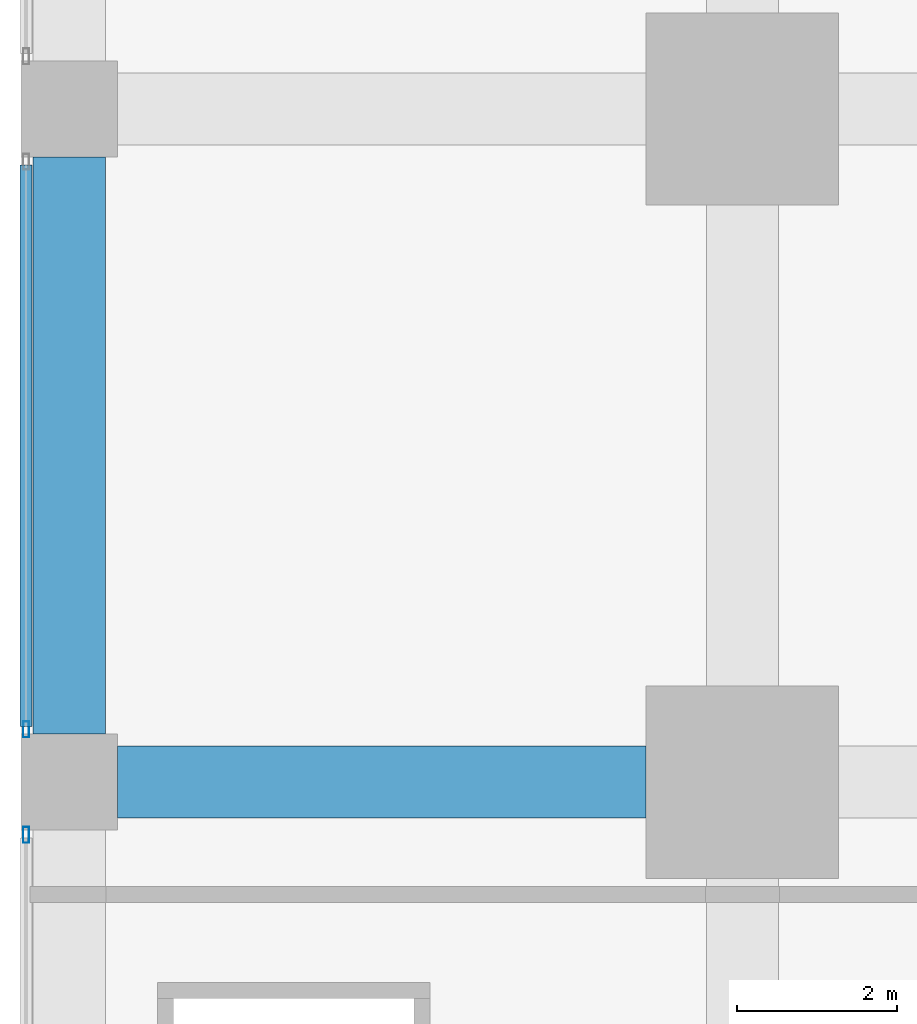
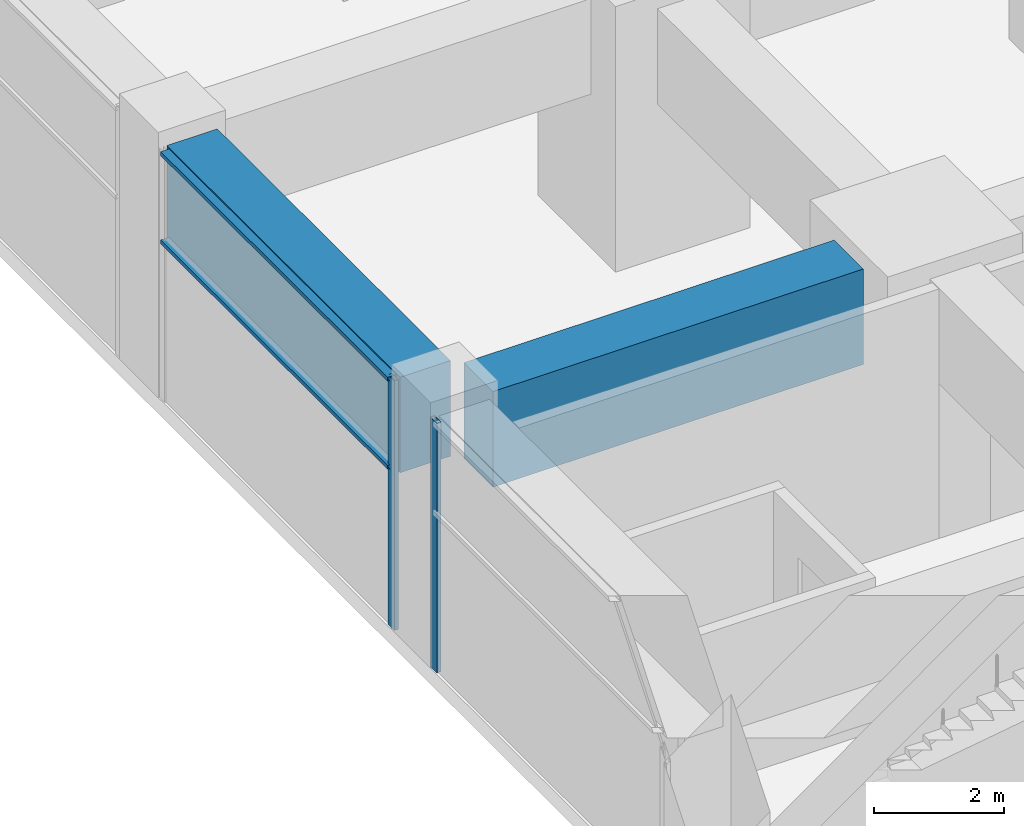
# One storey, part 19 of 48: 4 members, 2 beams, 2 elements without a shape of their own.
"""IFC4 building model written with IfcOpenShell, lengths in metres."""

from ifc_helpers import new_model, si_unit, direction, frame, origin, origin_2d, place, context, subcontext, project, spatial, rectangle, hollow_rectangle, extrude, material, material_profile, profile_set, type_object, element, aggregate, save


model = new_model("IFC4")

# Units and contexts
model_context = context("Model", 3, precision=1e-05, world=origin(), true_north=direction((0.0, 1.0)))
body_context = subcontext(model_context, "Body", "Model", "MODEL_VIEW")
ifc_project = project(units=[si_unit("LENGTHUNIT", "METRE"), si_unit("AREAUNIT", "SQUARE_METRE"), si_unit("VOLUMEUNIT", "CUBIC_METRE"), si_unit("PLANEANGLEUNIT", "RADIAN"), si_unit("MASSUNIT", "GRAM", prefix="KILO")], contexts=[model_context])

# Site, building, storey
site_placement = place(None, origin())
site = spatial("IfcSite", under=ifc_project, at=site_placement, CompositionType="ELEMENT")
building_placement = place(site_placement, origin())
building = spatial("IfcBuilding", under=site, at=building_placement, Name="Rekha Terrace Tower", CompositionType="ELEMENT")
storey_placement = place(building_placement, frame((0.0, 0.0, 15.39990234375)))
storey = spatial("IfcBuildingStorey", under=building, at=storey_placement, Name="L03", CompositionType="ELEMENT", Elevation=15.39990234375)

# Curtain wall, member
ifc_material_1 = material(Name="Aluminium framing", Category="aluminium")
curtain_wall_type = type_object("IfcCurtainWallType", Name="CW4 podium shopfront glazing", PredefinedType="USERDEFINED", material=ifc_material_1)
curtain_wall_1_placement = place(storey_placement, origin())
curtain_wall_1 = element("IfcCurtainWall", 1, at=curtain_wall_1_placement, inside=storey, type_object=curtain_wall_type, Name="CW4 shopfront curtain wall", ObjectType="SHOPFRONT CURTAIN WALL", PredefinedType="USERDEFINED")
ifc_material_2 = material(Name="Aluminium mullion section", Category="aluminium")
ifc_material_profile_1 = material_profile(ifc_material_2, hollow_rectangle(XDim=0.074951171875, YDim=0.199951171875, WallThickness=0.00390625, at=origin_2d()), Name="AL RHS 75x200")
ifc_profile_set_1 = profile_set([ifc_material_profile_1], Name="Aluminium mullion section")
member_type_1 = type_object("IfcMemberType", Name="CW4 mullion RHS 75 x 200", PredefinedType="MULLION", material=ifc_profile_set_1)
member_1_placement = place(storey_placement, frame((-0.5400390625, 42.657470703125, 0.0), z_axis=(0.0, 0.0, 1.0), x_axis=(1.0, 0.0, 0.0)))
member_1 = element("IfcMember", 2, at=member_1_placement, type_object=member_type_1, Name="CW4 mullion 2", PredefinedType="MULLION", context=body_context, shape_type="SweptSolid", body=[
    extrude(hollow_rectangle(XDim=0.074951171875, YDim=0.199951171875, WallThickness=0.00390625, at=origin_2d()), origin(), (0.0, 0.0, 1.0), 4.7001953125),
])

curtain_wall_2_placement = place(storey_placement, origin())
curtain_wall_2 = element("IfcCurtainWall", 3, at=curtain_wall_2_placement, inside=storey, type_object=curtain_wall_type, Name="CW4 shopfront curtain wall", ObjectType="SHOPFRONT CURTAIN WALL", PredefinedType="USERDEFINED")
member_2_placement = place(storey_placement, frame((-0.5400390625, 41.342529296875, 0.0), z_axis=(0.0, 0.0, 1.0), x_axis=(1.0, 0.0, 0.0)))
member_2 = element("IfcMember", 4, at=member_2_placement, type_object=member_type_1, Name="CW4 mullion 1", PredefinedType="MULLION", context=body_context, shape_type="SweptSolid", body=[
    extrude(hollow_rectangle(XDim=0.074951171875, YDim=0.199951171875, WallThickness=0.00390625, at=origin_2d()), origin(), (0.0, 0.0, 1.0), 4.7001953125),
])
aggregate(curtain_wall_2, [member_2])

# Member
ifc_material_3 = material(Name="Aluminium transom section", Category="aluminium")
ifc_material_profile_2 = material_profile(ifc_material_3, hollow_rectangle(XDim=0.14990234375, YDim=0.074951171875, WallThickness=0.0029296875, at=origin_2d()), Name="AL RHS 150x75")
ifc_profile_set_2 = profile_set([ifc_material_profile_2], Name="Aluminium transom section")
member_type_2 = type_object("IfcMemberType", Name="CW4 transom RHS 75 x 150", PredefinedType="USERDEFINED", material=ifc_profile_set_2)
member_3_placement = place(storey_placement, frame((-0.5400390625, 49.705078125, 3.0), z_axis=(0.0, -1.0, 0.0), x_axis=(1.0, 0.0, 0.0)))
member_3 = element("IfcMember", 5, at=member_3_placement, type_object=member_type_2, Name="CW4 transom 1.2", ObjectType="TRANSOM", PredefinedType="USERDEFINED", context=body_context, shape_type="SweptSolid", body=[
    extrude(hollow_rectangle(XDim=0.14990234375, YDim=0.074951171875, WallThickness=0.0029296875, at=origin_2d()), origin(), (0.0, 0.0, 1.0), 7.010009765625),
])

member_4_placement = place(storey_placement, frame((-0.5400390625, 49.705078125, 4.66259765625), z_axis=(0.0, -1.0, 0.0), x_axis=(1.0, 0.0, 0.0)))
member_4 = element("IfcMember", 6, at=member_4_placement, type_object=member_type_2, Name="CW4 transom 1.3", ObjectType="TRANSOM", PredefinedType="USERDEFINED", context=body_context, shape_type="SweptSolid", body=[
    extrude(hollow_rectangle(XDim=0.14990234375, YDim=0.074951171875, WallThickness=0.0029296875, at=origin_2d()), origin(), (0.0, 0.0, 1.0), 7.010009765625),
])

aggregate(curtain_wall_1, [member_1, member_3, member_4])

# Beams
ifc_material_4 = material(Name="Concrete M60", Category="concrete")
ifc_material_profile_3 = material_profile(ifc_material_4, rectangle(XDim=0.89990234375, YDim=1.800048828125, at=origin_2d()), Name="RC 900x1800")
ifc_profile_set_3 = profile_set([ifc_material_profile_3], Name="Concrete M60")
beam_type = type_object("IfcBeamType", Name="G1 900x1800 podium floor beam", PredefinedType="BEAM", material=ifc_profile_set_3)
beam_1_placement = place(storey_placement, frame((0.60009765625, 42.0, 3.800048828125), z_axis=(1.0, 0.0, 0.0), x_axis=(0.0, 1.0, 0.0)))
element("IfcBeam", 7, at=beam_1_placement, inside=storey, type_object=beam_type, Name="Beam G1 1F-2F under L04", PredefinedType="BEAM", context=body_context, shape_type="SweptSolid", body=[
    extrude(rectangle(XDim=0.89990234375, YDim=1.800048828125, at=origin_2d()), origin(), (0.0, 0.0, 1.0), 6.599853515625),
])
beam_2_placement = place(storey_placement, frame((0.0, 42.60009765625, 3.800048828125), z_axis=(0.0, 1.0, 0.0), x_axis=(-1.0, 0.0, 0.0)))
element("IfcBeam", 8, at=beam_2_placement, inside=storey, type_object=beam_type, Name="Beam G1 1F-1G under L04", PredefinedType="BEAM", context=body_context, shape_type="SweptSolid", body=[
    extrude(rectangle(XDim=0.89990234375, YDim=1.800048828125, at=origin_2d()), origin(), (0.0, 0.0, 1.0), 7.199951171875),
])

save(model, "model.ifc")
